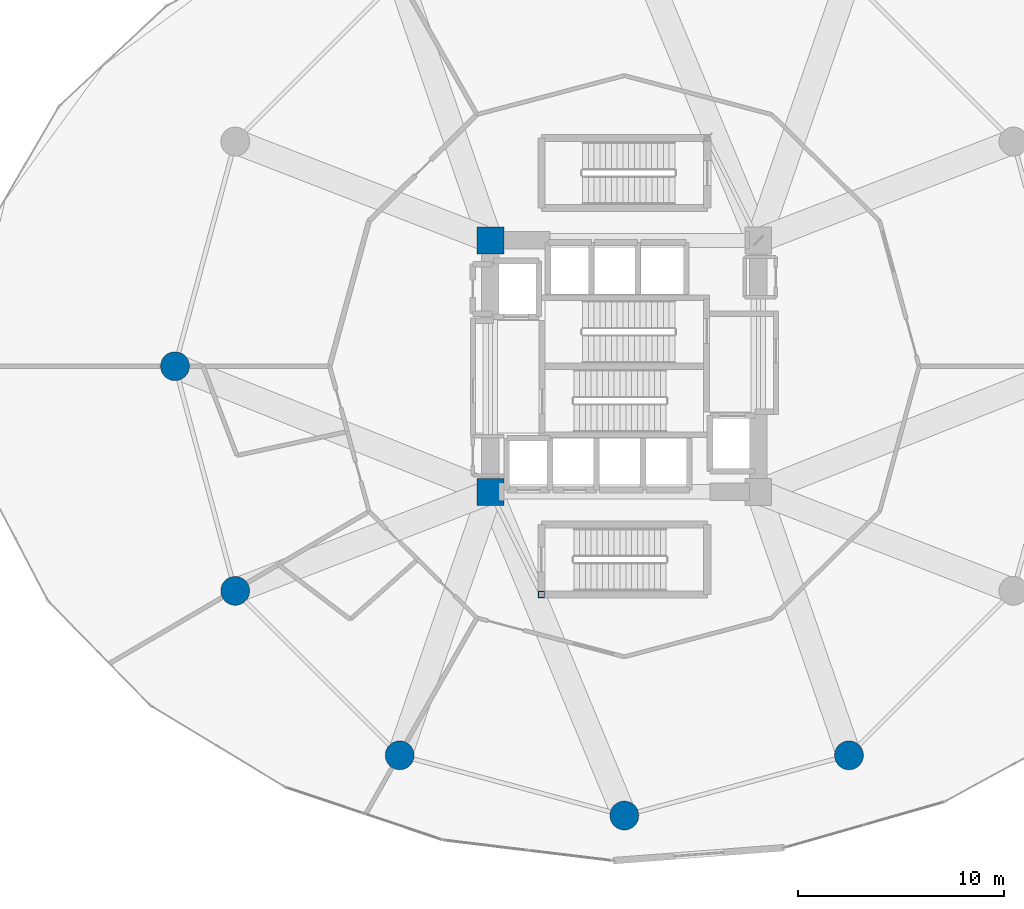
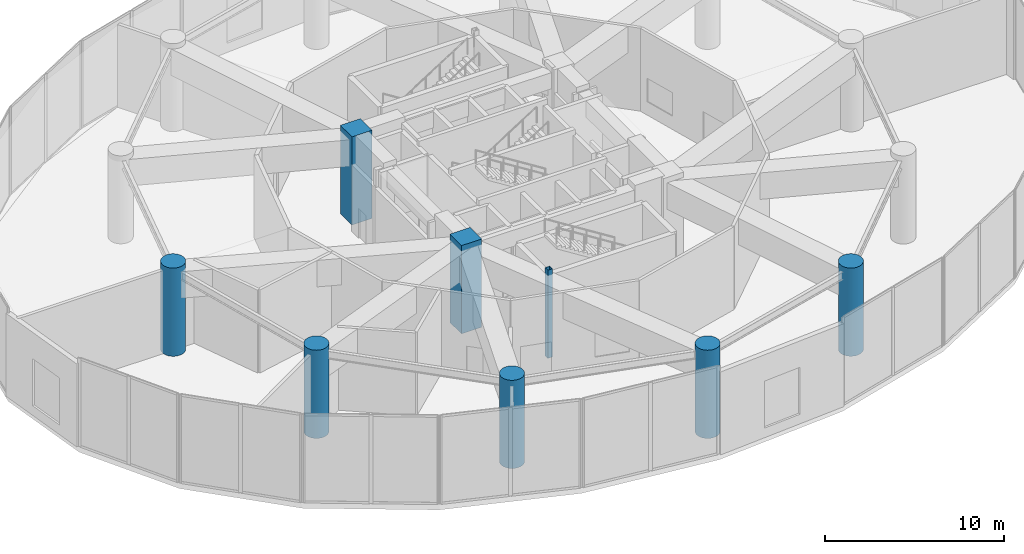
# One storey, part 1 of 28: 8 columns.
"""IFC4 building model written with IfcOpenShell, lengths in metres."""

from ifc_helpers import new_model, si_unit, direction, frame, origin, origin_2d, place, context, subcontext, project, spatial, rectangle, hollow_rectangle, circle, extrude, material, material_profile, profile_set, type_object, element, save


model = new_model("IFC4")

# Units and contexts
model_context = context("Model", 3, precision=1e-05, world=origin(), true_north=direction((0.0, 1.0)))
body_context = subcontext(model_context, "Body", "Model", "MODEL_VIEW")
ifc_project = project(units=[si_unit("LENGTHUNIT", "METRE"), si_unit("AREAUNIT", "SQUARE_METRE"), si_unit("VOLUMEUNIT", "CUBIC_METRE"), si_unit("PLANEANGLEUNIT", "RADIAN"), si_unit("MASSUNIT", "GRAM", prefix="KILO")], contexts=[model_context])

# Site, building, storey
site_placement = place(None, origin())
site = spatial("IfcSite", under=ifc_project, at=site_placement, CompositionType="ELEMENT")
building_placement = place(site_placement, origin())
building = spatial("IfcBuilding", under=site, at=building_placement, Name="Solvirekh Grand Hotel", CompositionType="ELEMENT")
storey_placement = place(building_placement, frame((0.0, 0.0, 12.60009765625)))
storey = spatial("IfcBuildingStorey", under=building, at=storey_placement, Name="L02", CompositionType="ELEMENT", Elevation=12.60009765625)

# Columns
ifc_material_1 = material(Name="Concrete C60/75", Category="concrete")
ifc_material_profile_1 = material_profile(ifc_material_1, circle(Radius=0.699951171875, at=origin_2d()), Name="RC CIRC D1400")
ifc_profile_set_1 = profile_set([ifc_material_profile_1], Name="Concrete C60/75")
column_type_1 = type_object("IfcColumnType", Name="Col_Base_D1400", PredefinedType="COLUMN", material=ifc_profile_set_1)
for number, where, z_axis, x_axis, name in (
    (1, (-21.800048828125, 0.0, 0.0), (0.0, 0.0, 1.0), (1.0, 0.0, 0.0), "L02 perimeter column P07"),
    (2, (-18.87890625, -10.89990234375, 0.0), (0.0, 0.0, 1.0), (1.0, 0.0, 0.0), "L02 perimeter column P08"),
    (3, (-10.89990234375, -18.87890625, 0.0), (0.0, 0.0, 1.0), (1.0, 0.0, 0.0), "L02 perimeter column P09"),
    (4, (0.0, -21.800048828125, 0.0), (0.0, 0.0, 1.0), (1.0, 0.0, 0.0), "L02 perimeter column P10"),
    (5, (10.89990234375, -18.87890625, 0.0), (0.0, 0.0, 1.0), (1.0, 0.0, 0.0), "L02 perimeter column P11"),
):
    element("IfcColumn", number, at=place(storey_placement, frame(where, z_axis=z_axis, x_axis=x_axis)), inside=storey, type_object=column_type_1, Name=name, PredefinedType="COLUMN", context=body_context, shape_type="SweptSolid", body=[
        extrude(circle(Radius=0.699951171875, at=origin_2d()), origin(), (0.0, 0.0, 1.0), 6.0),
    ])
ifc_material_profile_2 = material_profile(ifc_material_1, rectangle(XDim=1.300048828125, YDim=1.300048828125, at=origin_2d()), Name="RC 1300X1300")
ifc_profile_set_2 = profile_set([ifc_material_profile_2], Name="Concrete C60/75")
column_type_2 = type_object("IfcColumnType", Name="Col_Core_1300", PredefinedType="COLUMN", material=ifc_profile_set_2)
for number, where, z_axis, x_axis, name in (
    (6, (-6.5, -6.10009765625, 0.0), (0.0, 0.0, 1.0), (1.0, 0.0, 0.0), "L02 core corner column CC1"),
    (7, (-6.5, 6.10009765625, 0.0), (0.0, 0.0, 1.0), (1.0, 0.0, 0.0), "L02 core corner column CC4"),
):
    element("IfcColumn", number, at=place(storey_placement, frame(where, z_axis=z_axis, x_axis=x_axis)), inside=storey, type_object=column_type_2, Name=name, PredefinedType="COLUMN", context=body_context, shape_type="SweptSolid", body=[
        extrude(rectangle(XDim=1.300048828125, YDim=1.300048828125, at=origin_2d()), origin(), (0.0, 0.0, 1.0), 6.0),
    ])
ifc_material_2 = material(Name="Steel S355", Category="steel")
ifc_material_profile_3 = material_profile(ifc_material_2, hollow_rectangle(XDim=0.300048828125, YDim=0.300048828125, WallThickness=0.01611328125, at=origin_2d()), Name="SHS 300X300X16")
ifc_profile_set_3 = profile_set([ifc_material_profile_3], Name="Steel S355")
column_type_3 = type_object("IfcColumnType", Name="Col_Pod_SHS300", PredefinedType="COLUMN", material=ifc_profile_set_3)
column_placement = place(storey_placement, frame((-4.02490234375, -11.074951171875, 0.0), z_axis=(0.0, 0.0, 1.0), x_axis=(1.0, 0.0, 0.0)))
element("IfcColumn", 8, at=column_placement, inside=storey, type_object=column_type_3, Name="L02 podium stair enclosure post 1", PredefinedType="COLUMN", context=body_context, shape_type="SweptSolid", body=[
    extrude(hollow_rectangle(XDim=0.300048828125, YDim=0.300048828125, WallThickness=0.01611328125, at=origin_2d()), origin(), (0.0, 0.0, 1.0), 6.0),
])

save(model, "model.ifc")
